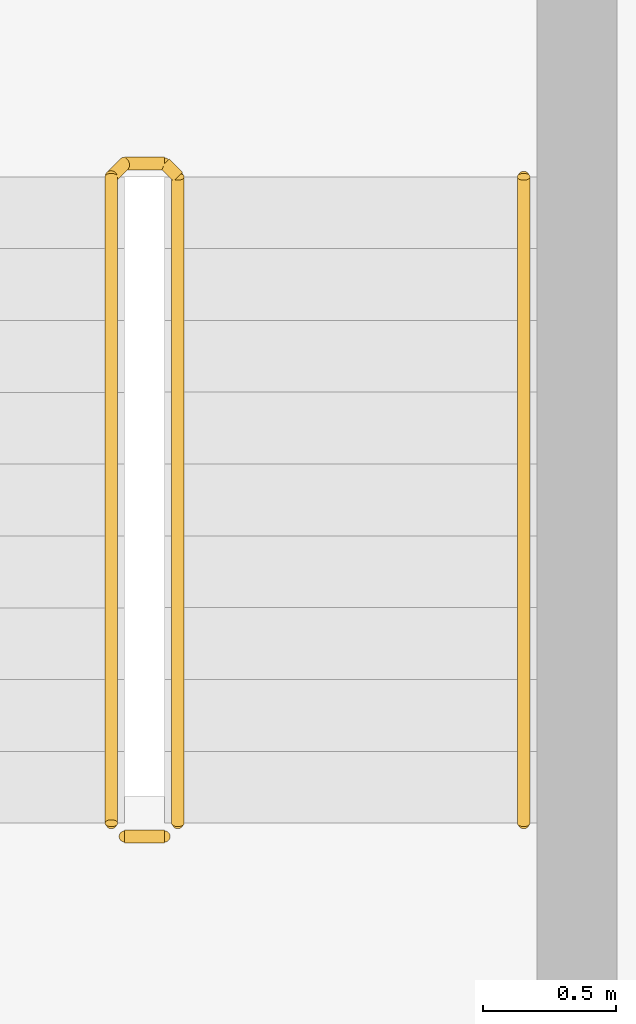
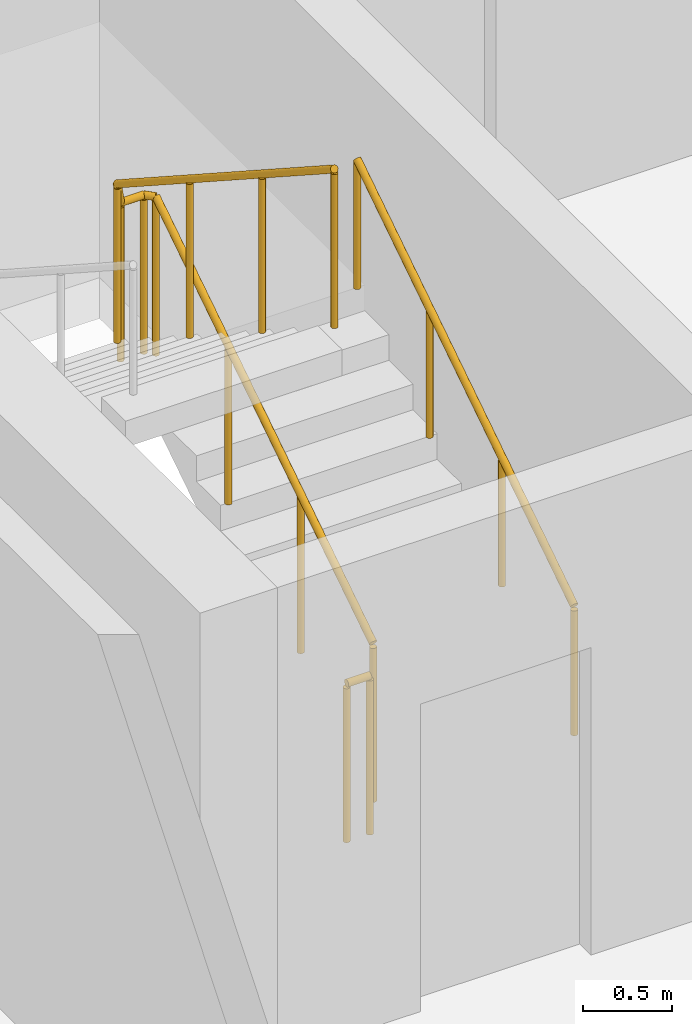
# One storey, part 14 of 19: 3 railings.
"""IFC4 building model written with IfcOpenShell, lengths in metres."""

import ifcopenshell
import ifcopenshell.guid

model = None  # the IFC model being written
_history = None  # IfcOwnerHistory: only IFC2X3 demands one
_inside = {}  # id of a spatial element -> (the spatial element, [elements in it])
_under = {}  # id of a project, library or spatial element -> (it, [spatial elements below it])
_declared = {}  # id of a project -> (the project, [libraries it declares])
_typed = {}  # id of a type object -> (the type object, [elements of that type])
_made_of = {}  # id of a material, layer set ... -> (it, [elements and type objects made of it])


def new_model(schema):
    """Start an empty IFC model of exactly this schema.

    Asked for "IFC4X3", IfcOpenShell would pick the latest addendum, in which some entities
    have other attributes; the version numbers below select the first issue.
    IFC2X3 requires an IfcOwnerHistory on every rooted entity: one is made here for all.
    """
    global model, _history
    if schema == "IFC4X3":
        model = ifcopenshell.file(schema_version=(4, 3, 0, 0))
    else:
        model = ifcopenshell.file(schema=schema)
    _inside.clear()
    _under.clear()
    _declared.clear()
    _typed.clear()
    _made_of.clear()
    _history = None
    if model.schema == "IFC2X3":
        org = make("IfcOrganization", Name="unknown")
        user = make(
            "IfcPersonAndOrganization",
            ThePerson=make("IfcPerson", FamilyName="unknown"),
            TheOrganization=org,
        )
        app = make(
            "IfcApplication",
            ApplicationDeveloper=org,
            Version="unknown",
            ApplicationFullName="unknown",
            ApplicationIdentifier="unknown",
        )
        _history = make(
            "IfcOwnerHistory",
            OwningUser=user,
            OwningApplication=app,
            ChangeAction="ADDED",
            CreationDate=0,
        )
    return model


def make(cls, **values):
    """One entity of the class cls with the attributes given. An attribute that is None is left unset."""
    return model.create_entity(
        cls, **{name: value for name, value in values.items() if value is not None}
    )


def rooted(cls, **values):
    """An entity with a GlobalId (a new one), such as an element, a storey or a relation."""
    return make(cls, GlobalId=ifcopenshell.guid.new(), OwnerHistory=_history, **values)


def si_unit(unit_type, name, prefix=None):
    """IfcSIUnit, for example si_unit("LENGTHUNIT", "METRE", prefix="MILLI")."""
    return make("IfcSIUnit", UnitType=unit_type, Prefix=prefix, Name=name)


def assignment(units):
    """IfcUnitAssignment: the units of a project."""
    return None if units is None else make("IfcUnitAssignment", Units=units)


def point(xyz):
    """IfcCartesianPoint."""
    return None if xyz is None else make("IfcCartesianPoint", Coordinates=xyz)


def direction(xyz):
    """IfcDirection."""
    return None if xyz is None else make("IfcDirection", DirectionRatios=xyz)


def frame(location, z_axis=None, x_axis=None):
    """IfcAxis2Placement3D, a coordinate frame: its origin and axes. An axis left out is left unset."""
    return make(
        "IfcAxis2Placement3D",
        Location=point(location),
        Axis=direction(z_axis),
        RefDirection=direction(x_axis),
    )


def frame_2d(location, x_axis=None):
    """IfcAxis2Placement2D, a coordinate frame in the plane: its origin and x axis."""
    return make(
        "IfcAxis2Placement2D", Location=point(location), RefDirection=direction(x_axis)
    )


def origin():
    """The frame at (0, 0, 0) with its axes left unset."""
    return frame((0.0, 0.0, 0.0))


def origin_2d():
    """The frame at (0, 0) in the plane with its x axis left unset."""
    return frame_2d((0.0, 0.0))


def place(relative_to, where):
    """IfcLocalPlacement: puts the frame where relative to a parent placement (None: the world)."""
    return make(
        "IfcLocalPlacement", PlacementRelTo=relative_to, RelativePlacement=where
    )


def context(
    kind, dimensions, precision=None, world=None, true_north=None, identifier=None
):
    """IfcGeometricRepresentationContext, for example the 3D "Model" context."""
    return make(
        "IfcGeometricRepresentationContext",
        ContextIdentifier=identifier,
        ContextType=kind,
        CoordinateSpaceDimension=dimensions,
        Precision=precision,
        WorldCoordinateSystem=world,
        TrueNorth=true_north,
    )


def subcontext(parent, identifier, kind, view, scale=None):
    """IfcGeometricRepresentationSubContext, for example "Body" below "Model"."""
    return make(
        "IfcGeometricRepresentationSubContext",
        ContextIdentifier=identifier,
        ContextType=kind,
        ParentContext=parent,
        TargetScale=scale,
        TargetView=view,
    )


def project(units=None, contexts=None):
    """IfcProject with its units and contexts."""
    return rooted(
        "IfcProject",
        Name="project",
        RepresentationContexts=contexts,
        UnitsInContext=assignment(units),
    )


def spatial(cls, under=None, at=None, **own):
    """A site, building, storey or space (cls), placed at a placement, below another one or the project."""
    s = rooted(cls, ObjectPlacement=at, **own)
    if under is not None:
        _under.setdefault(under.id(), (under, []))[1].append(s)
    return s


def profile(cls, at=None, kind="AREA", **sizes):
    """A parametric profile (cls). Its sizes go by their IFC names, for example OverallWidth=200.0."""
    return make(cls, ProfileType=kind, Position=at, **sizes)


def circle(**sizes):
    """IfcCircleProfileDef."""
    return profile("IfcCircleProfileDef", **sizes)


def extrude(swept, where, along, depth):
    """IfcExtrudedAreaSolid: the profile swept, set in the frame where, extruded along a direction by depth."""
    return make(
        "IfcExtrudedAreaSolid",
        SweptArea=swept,
        Position=where,
        ExtrudedDirection=direction(along),
        Depth=depth,
    )


def shape(context_of_items, identifier, shape_type, items):
    """IfcShapeRepresentation: the items that make up one representation, for example the "Body"."""
    return make(
        "IfcShapeRepresentation",
        ContextOfItems=context_of_items,
        RepresentationIdentifier=identifier,
        RepresentationType=shape_type,
        Items=items,
    )


def material(Name=None, Category=None):
    """IfcMaterial."""
    return make("IfcMaterial", Name=Name, Category=Category)


def made_of(thing, what):
    """Note that an element or type object is made of a material, layer set ...; save() writes the relation."""
    if what is not None:
        _made_of.setdefault(what.id(), (what, []))[1].append(thing)
    return thing


def type_object(cls, material=None, **own):
    """A type object (cls), such as IfcWallType, which elements share."""
    return made_of(rooted(cls, **own), material)


def element(
    cls,
    number,
    at=None,
    inside=None,
    cuts=None,
    type_object=None,
    material=None,
    context=None,
    identifier="Body",
    shape_type=None,
    held_by="IfcProductDefinitionShape",
    body=None,
    shapes=None,
    **own,
):
    """One element of the class cls, such as IfcWall. Its Tag is "e" and its number.

    at: its placement. inside: the storey or other place that contains it. cuts: it is an
    opening in that element (IfcRelVoidsElement). A single representation is given by context,
    identifier, shape_type and body (its items); several are given by shapes. held_by: the class
    of the entity that holds the representations. save() writes the other relations.
    """
    e = rooted(cls, Tag="e%d" % number, ObjectPlacement=at, **own)
    if body is not None:
        shapes = [shape(context, identifier, shape_type, body)]
    if shapes is not None:
        e.Representation = make(held_by, Representations=shapes)
    if inside is not None:
        _inside.setdefault(inside.id(), (inside, []))[1].append(e)
    if cuts is not None:
        rooted(
            "IfcRelVoidsElement", RelatingBuildingElement=cuts, RelatedOpeningElement=e
        )
    if type_object is not None:
        _typed.setdefault(type_object.id(), (type_object, []))[1].append(e)
    return made_of(e, material)


def aggregate(whole, parts):
    """IfcRelAggregates: a whole, such as a stair, and the parts it consists of."""
    return rooted("IfcRelAggregates", RelatingObject=whole, RelatedObjects=parts)


def save(model, path):
    """Write the relations noted so far, then the file.

    IfcRelAggregates (storeys below a building ...), IfcRelContainedInSpatialStructure (elements
    in a storey), IfcRelDefinesByType, IfcRelAssociatesMaterial and IfcRelDeclares: one each for
    every whole, place, type object, material and project.
    """
    for whole, parts in _under.values():
        aggregate(whole, parts)
    for where, things in _inside.values():
        rooted(
            "IfcRelContainedInSpatialStructure",
            RelatedElements=things,
            RelatingStructure=where,
        )
    for kind, things in _typed.values():
        rooted("IfcRelDefinesByType", RelatedObjects=things, RelatingType=kind)
    for what, things in _made_of.values():
        rooted("IfcRelAssociatesMaterial", RelatedObjects=things, RelatingMaterial=what)
    for by, libraries in _declared.values():
        rooted("IfcRelDeclares", RelatingContext=by, RelatedDefinitions=libraries)
    model.write(path)


model = new_model("IFC4")

# Units and contexts
model_context = context("Model", 3, precision=1e-05, world=origin(), true_north=direction((0.0, 1.0)))
body_context = subcontext(model_context, "Body", "Model", "MODEL_VIEW")
ifc_project = project(units=[si_unit("LENGTHUNIT", "METRE"), si_unit("AREAUNIT", "SQUARE_METRE"), si_unit("VOLUMEUNIT", "CUBIC_METRE"), si_unit("PLANEANGLEUNIT", "RADIAN"), si_unit("MASSUNIT", "GRAM", prefix="KILO")], contexts=[model_context])

# Site, building, storey
site_placement = place(None, origin())
site = spatial("IfcSite", under=ifc_project, at=site_placement, CompositionType="ELEMENT")
building_placement = place(site_placement, origin())
building = spatial("IfcBuilding", under=site, at=building_placement, Name="Saffron Iwan Residences", CompositionType="ELEMENT")
storey_placement = place(building_placement, frame((0.0, 0.0, 211.5)))
storey = spatial("IfcBuildingStorey", under=building, at=storey_placement, Name="L56", CompositionType="ELEMENT", Elevation=211.5)

# Railings
ifc_material_1 = material(Name="Steel S355", Category="steel")
railing_type_1 = type_object("IfcRailingType", Name="Stair guard 1100", PredefinedType="GUARDRAIL", material=ifc_material_1)
railing_1_placement = place(storey_placement, frame((31.300048828125, 67.85009765625, 0.175048828125)))
element("IfcRailing", 1, at=railing_1_placement, inside=storey, type_object=railing_type_1, Name="L56 ST-W stair guard 1", PredefinedType="GUARDRAIL", context=body_context, shape_type="SweptSolid", body=[
    extrude(circle(Radius=0.02392578125, at=origin_2d()), frame((0.0, 0.0, 1.076171875), z_axis=(0.0, 0.839153699163, 0.543894354798), x_axis=(-1.0, 0.0, 0.0)), (0.0, 0.0, 1.0), 2.895751953125),
    extrude(circle(Radius=0.02392578125, at=origin_2d()), frame((0.0, 2.429931640625, 2.65087890625), z_axis=(-0.707106781187, 0.707106781187, 0.0), x_axis=(-0.707106781187, -0.707106781187, 0.0)), (0.0, 0.0, 1.0), 0.07080078125),
    extrude(circle(Radius=0.02392578125, at=origin_2d()), frame((-0.050048828125, 2.47998046875, 2.65087890625), z_axis=(-1.0, 0.0, 0.0), x_axis=(0.0, -1.0, 0.0)), (0.0, 0.0, 1.0), 0.14990234375),
    extrude(circle(Radius=0.02392578125, at=origin_2d()), frame((-0.199951171875, 2.47998046875, 2.65087890625), z_axis=(-0.265065253269, -0.265065253269, 0.927081885822), x_axis=(0.707106781187, -0.707106781187, 0.0)), (0.0, 0.0, 1.0), 0.188720703125),
    extrude(circle(Radius=0.02392578125, at=origin_2d()), frame((-0.25, 2.429931640625, 2.826171875), z_axis=(0.0, -0.839153699163, 0.543894354798), x_axis=(1.0, 0.0, 0.0)), (0.0, 0.0, 1.0), 2.895751953125),
    extrude(circle(Radius=0.02099609375, at=origin_2d()), origin(), (0.0, 0.0, 1.0), 1.052001953125),
    extrude(circle(Radius=0.02099609375, at=origin_2d()), frame((0.0, 0.81005859375, 0.52490234375)), (0.0, 0.0, 1.0), 1.052001953125),
    extrude(circle(Radius=0.02099609375, at=origin_2d()), frame((0.0, 1.619873046875, 1.050048828125)), (0.0, 0.0, 1.0), 1.052001953125),
    extrude(circle(Radius=0.02099609375, at=origin_2d()), frame((0.0, 2.429931640625, 1.574951171875)), (0.0, 0.0, 1.0), 1.052001953125),
    extrude(circle(Radius=0.02099609375, at=origin_2d()), frame((-0.050048828125, 2.47998046875, 1.574951171875)), (0.0, 0.0, 1.0), 1.052001953125),
    extrude(circle(Radius=0.02099609375, at=origin_2d()), frame((-0.199951171875, 2.47998046875, 1.574951171875)), (0.0, 0.0, 1.0), 1.052001953125),
    extrude(circle(Radius=0.02099609375, at=origin_2d()), frame((-0.25, 2.429931640625, 1.75)), (0.0, 0.0, 1.0), 1.052001953125),
    extrude(circle(Radius=0.02099609375, at=origin_2d()), frame((-0.25, 1.619873046875, 2.27490234375)), (0.0, 0.0, 1.0), 1.052001953125),
    extrude(circle(Radius=0.02099609375, at=origin_2d()), frame((-0.25, 0.81005859375, 2.800048828125)), (0.0, 0.0, 1.0), 1.052001953125),
    extrude(circle(Radius=0.02099609375, at=origin_2d()), frame((-0.25, 0.0, 3.324951171875)), (0.0, 0.0, 1.0), 1.052001953125),
])
railing_2_placement = place(storey_placement, frame((31.25, 67.800048828125, 0.0)))
element("IfcRailing", 2, at=railing_2_placement, inside=storey, type_object=railing_type_1, Name="L56 ST-W stair guard 2", PredefinedType="GUARDRAIL", context=body_context, shape_type="SweptSolid", body=[
    extrude(circle(Radius=0.02392578125, at=origin_2d()), frame((0.0, 0.0, 1.076171875), z_axis=(-1.0, 0.0, 0.0), x_axis=(0.0, -1.0, 0.0)), (0.0, 0.0, 1.0), 0.14990234375),
    extrude(circle(Radius=0.02099609375, at=origin_2d()), origin(), (0.0, 0.0, 1.0), 1.052001953125),
    extrude(circle(Radius=0.02099609375, at=origin_2d()), frame((-0.14990234375, 0.0, 0.0)), (0.0, 0.0, 1.0), 1.052001953125),
])
ifc_material_2 = material(Name="Stainless steel 316", Category="steel")
railing_type_2 = type_object("IfcRailingType", Name="Stair handrail 900", PredefinedType="HANDRAIL", material=ifc_material_2)
railing_3_placement = place(storey_placement, frame((32.60009765625, 67.85009765625, 0.175048828125)))
element("IfcRailing", 3, at=railing_3_placement, inside=storey, type_object=railing_type_2, Name="L56 ST-W stair handrail 1", PredefinedType="HANDRAIL", context=body_context, shape_type="SweptSolid", body=[
    extrude(circle(Radius=0.02392578125, at=origin_2d()), frame((0.0, 0.0, 0.8759765625), z_axis=(0.0, 0.839153699163, 0.543894354798), x_axis=(-1.0, 0.0, 0.0)), (0.0, 0.0, 1.0), 2.895751953125),
    extrude(circle(Radius=0.02099609375, at=origin_2d()), origin(), (0.0, 0.0, 1.0), 0.851806640625),
    extrude(circle(Radius=0.02099609375, at=origin_2d()), frame((0.0, 0.81005859375, 0.52490234375)), (0.0, 0.0, 1.0), 0.851806640625),
    extrude(circle(Radius=0.02099609375, at=origin_2d()), frame((0.0, 1.619873046875, 1.050048828125)), (0.0, 0.0, 1.0), 0.851806640625),
    extrude(circle(Radius=0.02099609375, at=origin_2d()), frame((0.0, 2.429931640625, 1.574951171875)), (0.0, 0.0, 1.0), 0.851806640625),
])

save(model, "model.ifc")
